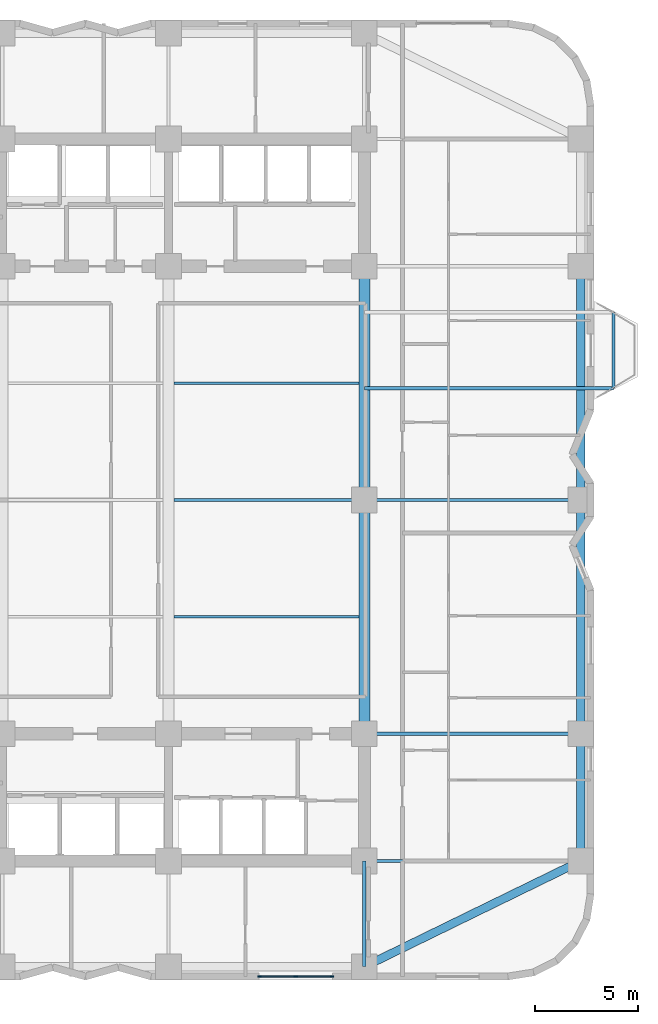
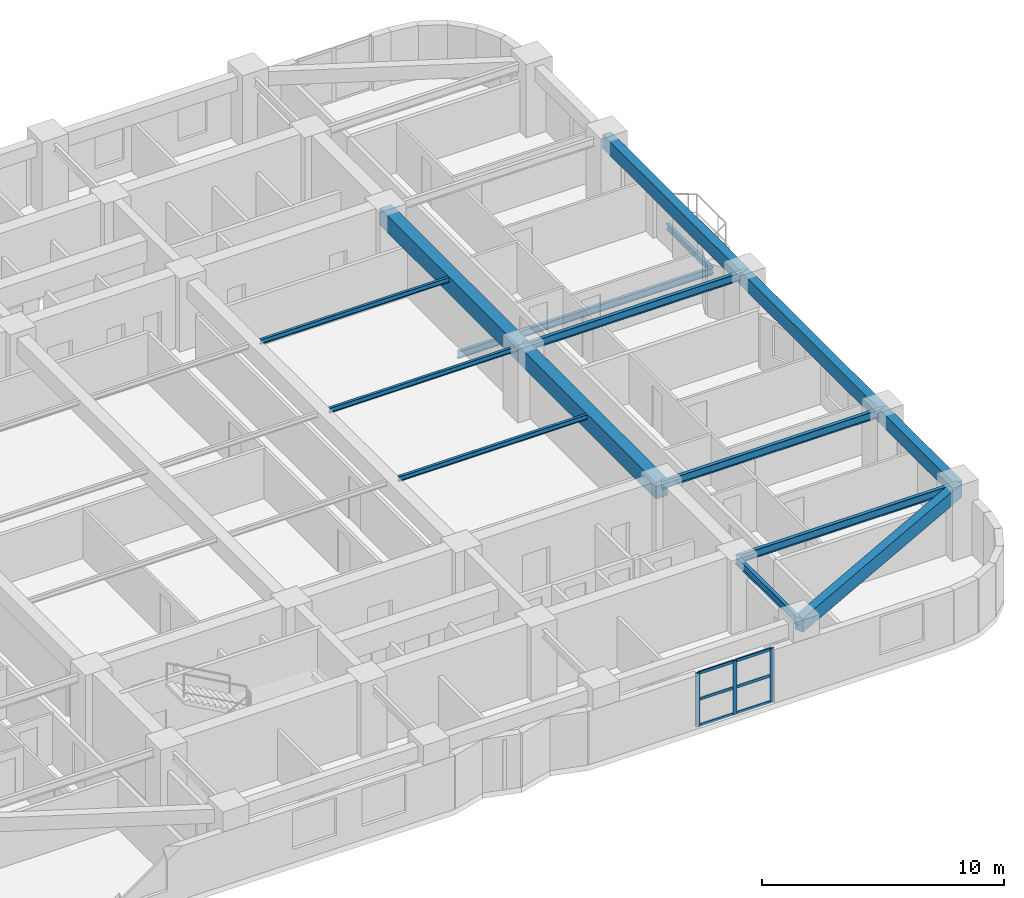
# One storey, part 2 of 13: 15 beams, 9 members, 1 element without a shape of its own.
"""IFC4 building model written with IfcOpenShell, lengths in metres."""

from ifc_helpers import new_model, si_unit, direction, frame, origin, origin_2d, place, context, subcontext, project, spatial, rectangle, i_section, extrude, material, material_profile, profile_set, type_object, element, aggregate, save


model = new_model("IFC4")

# Units and contexts
model_context = context("Model", 3, precision=1e-05, world=origin(), true_north=direction((0.0, 1.0)))
body_context = subcontext(model_context, "Body", "Model", "MODEL_VIEW")
ifc_project = project(units=[si_unit("LENGTHUNIT", "METRE"), si_unit("AREAUNIT", "SQUARE_METRE"), si_unit("VOLUMEUNIT", "CUBIC_METRE"), si_unit("PLANEANGLEUNIT", "RADIAN"), si_unit("MASSUNIT", "GRAM", prefix="KILO")], contexts=[model_context])

# Site, building, storey
site_placement = place(None, origin())
site = spatial("IfcSite", under=ifc_project, at=site_placement, CompositionType="ELEMENT")
building_placement = place(site_placement, origin())
building = spatial("IfcBuilding", under=site, at=building_placement, Name="Svetorya Sky Lyceum", CompositionType="ELEMENT")
storey_placement = place(building_placement, frame((0.0, 0.0, 39.89990234375)))
storey = spatial("IfcBuildingStorey", under=building, at=storey_placement, Name="L09", CompositionType="ELEMENT", Elevation=39.89990234375)

# Beams
ifc_material_1 = material(Name="Concrete C50/60", Category="concrete")
ifc_material_profile_1 = material_profile(ifc_material_1, rectangle(XDim=0.550048828125, YDim=0.85009765625, at=origin_2d()), Name="RC BEAM 550x850")
ifc_profile_set_1 = profile_set([ifc_material_profile_1], Name="Concrete C50/60")
beam_type_1 = type_object("IfcBeamType", Name="BM-RC-850", PredefinedType="BEAM", material=ifc_profile_set_1)
beam_1_placement = place(storey_placement, frame((52.800048828125, 16.800048828125, 2.9951171875), z_axis=(0.0, 1.0, 0.0), x_axis=(-1.0, 0.0, 0.0)))
element("IfcBeam", 1, at=beam_1_placement, inside=storey, type_object=beam_type_1, Name="L09 Central Bay Primary Girder CG-4A", PredefinedType="BEAM", context=body_context, shape_type="SweptSolid", body=[
    extrude(rectangle(XDim=0.550048828125, YDim=0.85009765625, at=origin_2d()), origin(), (0.0, 0.0, 1.0), 11.39990234375),
])
beam_2_placement = place(storey_placement, frame((52.800048828125, 28.199951171875, 2.9951171875), z_axis=(0.0, 1.0, 0.0), x_axis=(-1.0, 0.0, 0.0)))
element("IfcBeam", 2, at=beam_2_placement, inside=storey, type_object=beam_type_1, Name="L09 Central Bay Primary Girder CG-4B", PredefinedType="BEAM", context=body_context, shape_type="SweptSolid", body=[
    extrude(rectangle(XDim=0.550048828125, YDim=0.85009765625, at=origin_2d()), origin(), (0.0, 0.0, 1.0), 11.400146484375),
])
ifc_material_profile_2 = material_profile(ifc_material_1, rectangle(XDim=0.39990234375, YDim=0.699951171875, at=origin_2d()), Name="RC SPANDREL 400x700")
ifc_profile_set_2 = profile_set([ifc_material_profile_2], Name="Concrete C50/60")
beam_type_2 = type_object("IfcBeamType", Name="BM-SPN-700", PredefinedType="SPANDREL", material=ifc_profile_set_2)
beam_3_placement = place(storey_placement, frame((52.800048828125, 5.449951171875, 3.070068359375), z_axis=(0.898641495694, 0.438683783854, 0.0), x_axis=(-0.438683783854, 0.898641495694, 0.0)))
element("IfcBeam", 3, at=beam_3_placement, inside=storey, type_object=beam_type_2, Name="L09 Corner Spandrel 2", PredefinedType="SPANDREL", context=body_context, shape_type="SweptSolid", body=[
    extrude(rectangle(XDim=0.39990234375, YDim=0.699951171875, at=origin_2d()), origin(), (0.0, 0.0, 1.0), 11.739990234375),
])
beam_4_placement = place(storey_placement, frame((63.35009765625, 10.60009765625, 3.070068359375), z_axis=(0.0, 1.0, 0.0), x_axis=(-1.0, 0.0, 0.0)))
element("IfcBeam", 4, at=beam_4_placement, inside=storey, type_object=beam_type_2, Name="L09 East Spandrel 1", PredefinedType="SPANDREL", context=body_context, shape_type="SweptSolid", body=[
    extrude(rectangle(XDim=0.39990234375, YDim=0.699951171875, at=origin_2d()), origin(), (0.0, 0.0, 1.0), 6.199951171875),
])
beam_5_placement = place(storey_placement, frame((63.35009765625, 16.800048828125, 3.070068359375), z_axis=(0.0, 1.0, 0.0), x_axis=(-1.0, 0.0, 0.0)))
element("IfcBeam", 5, at=beam_5_placement, inside=storey, type_object=beam_type_2, Name="L09 East Spandrel 2", PredefinedType="SPANDREL", context=body_context, shape_type="SweptSolid", body=[
    extrude(rectangle(XDim=0.39990234375, YDim=0.699951171875, at=origin_2d()), origin(), (0.0, 0.0, 1.0), 11.39990234375),
])
beam_6_placement = place(storey_placement, frame((63.35009765625, 28.199951171875, 3.070068359375), z_axis=(0.0, 1.0, 0.0), x_axis=(-1.0, 0.0, 0.0)))
element("IfcBeam", 6, at=beam_6_placement, inside=storey, type_object=beam_type_2, Name="L09 East Spandrel 3", PredefinedType="SPANDREL", context=body_context, shape_type="SweptSolid", body=[
    extrude(rectangle(XDim=0.39990234375, YDim=0.699951171875, at=origin_2d()), origin(), (0.0, 0.0, 1.0), 11.400146484375),
])
ifc_material_2 = material(Name="Steel S355", Category="steel")
ifc_material_profile_3 = material_profile(ifc_material_2, i_section(OverallWidth=0.1240234375, OverallDepth=0.248046875, WebThickness=0.006103515625, FlangeThickness=0.009521484375, at=origin_2d()), Name="GOST 25B2")
ifc_profile_set_3 = profile_set([ifc_material_profile_3], Name="Steel S355")
beam_type_3 = type_object("IfcBeamType", Name="BM-STL-25B2", PredefinedType="JOIST", material=ifc_profile_set_3)
for number, where, z_axis, x_axis, name in (
    (7, (43.52490234375, 22.5, 3.296142578125), (1.0, 0.0, 0.0), (0.0, 1.0, 0.0), "L09 Central Floor Joist CJ-1.3"),
    (8, (43.52490234375, 28.199951171875, 3.296142578125), (1.0, 0.0, 0.0), (0.0, 1.0, 0.0), "L09 Central Floor Joist CJ-2.3"),
    (9, (43.52490234375, 33.89990234375, 3.296142578125), (1.0, 0.0, 0.0), (0.0, 1.0, 0.0), "L09 Central Floor Joist CJ-3.3"),
):
    element("IfcBeam", number, at=place(storey_placement, frame(where, z_axis=z_axis, x_axis=x_axis)), inside=storey, type_object=beam_type_3, Name=name, PredefinedType="JOIST", context=body_context, shape_type="SweptSolid", body=[
        extrude(i_section(OverallWidth=0.1240234375, OverallDepth=0.248046875, WebThickness=0.006103515625, FlangeThickness=0.009521484375, at=origin_2d()), origin(), (0.0, 0.0, 1.0), 9.0),
    ])
ifc_material_profile_4 = material_profile(ifc_material_2, i_section(OverallWidth=0.14990234375, OverallDepth=0.299072265625, WebThickness=0.006591796875, FlangeThickness=0.010498046875, at=origin_2d()), Name="GOST 30B2")
ifc_profile_set_4 = profile_set([ifc_material_profile_4], Name="Steel S355")
beam_type_4 = type_object("IfcBeamType", Name="BM-STL-30B2", PredefinedType="JOIST", material=ifc_profile_set_4)
beam_7_placement = place(storey_placement, frame((64.949951171875, 33.64990234375, -0.454345703125), z_axis=(0.0, 1.0, 0.0), x_axis=(-1.0, 0.0, 0.0)))
element("IfcBeam", 10, at=beam_7_placement, inside=storey, type_object=beam_type_4, Name="L09 Balcony Edge Tie BAL-E1", PredefinedType="JOIST", context=body_context, shape_type="SweptSolid", body=[
    extrude(i_section(OverallWidth=0.14990234375, OverallDepth=0.299072265625, WebThickness=0.006591796875, FlangeThickness=0.010498046875, at=origin_2d()), origin(), (0.0, 0.0, 1.0), 3.7001953125),
])
ifc_material_profile_5 = material_profile(ifc_material_2, i_section(OverallWidth=0.155029296875, OverallDepth=0.34912109375, WebThickness=0.007080078125, FlangeThickness=0.011474609375, at=origin_2d()), Name="GOST 35B2")
ifc_profile_set_5 = profile_set([ifc_material_profile_5], Name="Steel S355")
beam_type_5 = type_object("IfcBeamType", Name="BM-STL-35B2", PredefinedType="JOIST", material=ifc_profile_set_5)
beam_8_placement = place(storey_placement, frame((52.800048828125, 33.64990234375, -0.454345703125), z_axis=(1.0, 0.0, 0.0), x_axis=(0.0, 1.0, 0.0)))
element("IfcBeam", 11, at=beam_8_placement, inside=storey, type_object=beam_type_5, Name="L09 Balcony Cantilever Beam BAL-E1-1", PredefinedType="JOIST", context=body_context, shape_type="SweptSolid", body=[
    extrude(i_section(OverallWidth=0.155029296875, OverallDepth=0.34912109375, WebThickness=0.007080078125, FlangeThickness=0.011474609375, at=origin_2d()), origin(), (0.0, 0.0, 1.0), 12.14990234375),
])
ifc_material_profile_6 = material_profile(ifc_material_2, i_section(OverallWidth=0.1650390625, OverallDepth=0.39990234375, WebThickness=0.008056640625, FlangeThickness=0.012939453125, at=origin_2d()), Name="GOST 40B2")
ifc_profile_set_6 = profile_set([ifc_material_profile_6], Name="Steel S355")
beam_type_6 = type_object("IfcBeamType", Name="BM-STL-40B2", PredefinedType="JOIST", material=ifc_profile_set_6)
for number, where, z_axis, x_axis, name in (
    (12, (52.800048828125, 10.60009765625, 3.22021484375), (1.0, 0.0, 0.0), (0.0, 1.0, 0.0), "L09 East Wing Floor Joist E1"),
    (13, (52.800048828125, 16.800048828125, 3.22021484375), (1.0, 0.0, 0.0), (0.0, 1.0, 0.0), "L09 East Wing Floor Joist E2"),
    (14, (52.800048828125, 28.199951171875, 3.22021484375), (1.0, 0.0, 0.0), (0.0, 1.0, 0.0), "L09 East Wing Floor Joist E3"),
):
    element("IfcBeam", number, at=place(storey_placement, frame(where, z_axis=z_axis, x_axis=x_axis)), inside=storey, type_object=beam_type_6, Name=name, PredefinedType="JOIST", context=body_context, shape_type="SweptSolid", body=[
        extrude(i_section(OverallWidth=0.1650390625, OverallDepth=0.39990234375, WebThickness=0.008056640625, FlangeThickness=0.012939453125, at=origin_2d()), origin(), (0.0, 0.0, 1.0), 10.550048828125),
    ])
beam_9_placement = place(storey_placement, frame((52.800048828125, 5.449951171875, 3.22021484375), z_axis=(0.0, 1.0, 0.0), x_axis=(-1.0, 0.0, 0.0)))
element("IfcBeam", 15, at=beam_9_placement, inside=storey, type_object=beam_type_6, Name="L09 South Bay Floor Girder S4", PredefinedType="JOIST", context=body_context, shape_type="SweptSolid", body=[
    extrude(i_section(OverallWidth=0.1650390625, OverallDepth=0.39990234375, WebThickness=0.008056640625, FlangeThickness=0.012939453125, at=origin_2d()), origin(), (0.0, 0.0, 1.0), 5.150146484375),
])

# Curtain wall, members
ifc_material_3 = material(Name="Thermally broken anodized aluminium and triple low-E glass", Category="aluminium")
curtain_wall_type = type_object("IfcCurtainWallType", Name="CW3-LOG-RES", PredefinedType="NOTDEFINED", material=ifc_material_3)
curtain_wall_placement = place(storey_placement, origin())
curtain_wall = element("IfcCurtainWall", 16, at=curtain_wall_placement, inside=storey, type_object=curtain_wall_type, Name="L09 Recessed Loggia Curtain Wall 11", PredefinedType="NOTDEFINED")
ifc_material_4 = material(Name="Thermally broken anodized aluminium EN AW-6060", Category="aluminium")
ifc_material_profile_7 = material_profile(ifc_material_4, rectangle(XDim=0.06494140625, YDim=0.179931640625, at=origin_2d()), Name="ALU MULLION 65x180")
ifc_profile_set_7 = profile_set([ifc_material_profile_7], Name="Thermally broken anodized aluminium EN AW-6060")
member_type_1 = type_object("IfcMemberType", Name="CWM-MUL-180", PredefinedType="MULLION", material=ifc_profile_set_7)
member_1_placement = place(storey_placement, frame((47.6826171875, 4.969970703125, 0.0), z_axis=(0.0, 0.0, 1.0), x_axis=(0.0, 1.0, 0.0)))
member_1 = element("IfcMember", 17, at=member_1_placement, type_object=member_type_1, Name="CW-3 mullion 1", PredefinedType="MULLION", context=body_context, shape_type="SweptSolid", body=[
    extrude(rectangle(XDim=0.06494140625, YDim=0.179931640625, at=origin_2d()), origin(), (0.0, 0.0, 1.0), 2.7001953125),
])
member_2_placement = place(storey_placement, frame((49.449951171875, 4.969970703125, 0.0), z_axis=(0.0, 0.0, 1.0), x_axis=(0.0, 1.0, 0.0)))
member_2 = element("IfcMember", 18, at=member_2_placement, type_object=member_type_1, Name="CW-3 mullion 2", PredefinedType="MULLION", context=body_context, shape_type="SweptSolid", body=[
    extrude(rectangle(XDim=0.06494140625, YDim=0.179931640625, at=origin_2d()), origin(), (0.0, 0.0, 1.0), 2.7001953125),
])
member_3_placement = place(storey_placement, frame((51.217529296875, 4.969970703125, 0.0), z_axis=(0.0, 0.0, 1.0), x_axis=(0.0, 1.0, 0.0)))
member_3 = element("IfcMember", 19, at=member_3_placement, type_object=member_type_1, Name="CW-3 mullion 3", PredefinedType="MULLION", context=body_context, shape_type="SweptSolid", body=[
    extrude(rectangle(XDim=0.06494140625, YDim=0.179931640625, at=origin_2d()), origin(), (0.0, 0.0, 1.0), 2.7001953125),
])
ifc_material_profile_8 = material_profile(ifc_material_4, rectangle(XDim=0.06494140625, YDim=0.139892578125, at=origin_2d()), Name="ALU TRANSOM 65x140")
ifc_profile_set_8 = profile_set([ifc_material_profile_8], Name="Thermally broken anodized aluminium EN AW-6060")
member_type_2 = type_object("IfcMemberType", Name="CWM-TRN-140", PredefinedType="USERDEFINED", material=ifc_profile_set_8)
member_4_placement = place(storey_placement, frame((47.71337890625, 4.969970703125, 0.03271484375), z_axis=(1.0, 0.0, 0.0), x_axis=(0.0, 1.0, 0.0)))
member_4 = element("IfcMember", 20, at=member_4_placement, type_object=member_type_2, Name="CW-3 transom 1.1", ObjectType="TRANSOM", PredefinedType="USERDEFINED", context=body_context, shape_type="SweptSolid", body=[
    extrude(rectangle(XDim=0.06494140625, YDim=0.139892578125, at=origin_2d()), origin(), (0.0, 0.0, 1.0), 1.70556640625),
])
member_5_placement = place(storey_placement, frame((47.71337890625, 4.969970703125, 1.35009765625), z_axis=(1.0, 0.0, 0.0), x_axis=(0.0, 1.0, 0.0)))
member_5 = element("IfcMember", 21, at=member_5_placement, type_object=member_type_2, Name="CW-3 transom 1.2", ObjectType="TRANSOM", PredefinedType="USERDEFINED", context=body_context, shape_type="SweptSolid", body=[
    extrude(rectangle(XDim=0.06494140625, YDim=0.139892578125, at=origin_2d()), origin(), (0.0, 0.0, 1.0), 1.70556640625),
])
member_6_placement = place(storey_placement, frame((47.71337890625, 4.969970703125, 2.66748046875), z_axis=(1.0, 0.0, 0.0), x_axis=(0.0, 1.0, 0.0)))
member_6 = element("IfcMember", 22, at=member_6_placement, type_object=member_type_2, Name="CW-3 transom 1.3", ObjectType="TRANSOM", PredefinedType="USERDEFINED", context=body_context, shape_type="SweptSolid", body=[
    extrude(rectangle(XDim=0.06494140625, YDim=0.139892578125, at=origin_2d()), origin(), (0.0, 0.0, 1.0), 1.70556640625),
])
member_7_placement = place(storey_placement, frame((49.48095703125, 4.969970703125, 0.03271484375), z_axis=(1.0, 0.0, 0.0), x_axis=(0.0, 1.0, 0.0)))
member_7 = element("IfcMember", 23, at=member_7_placement, type_object=member_type_2, Name="CW-3 transom 2.1", ObjectType="TRANSOM", PredefinedType="USERDEFINED", context=body_context, shape_type="SweptSolid", body=[
    extrude(rectangle(XDim=0.06494140625, YDim=0.139892578125, at=origin_2d()), origin(), (0.0, 0.0, 1.0), 1.70556640625),
])
member_8_placement = place(storey_placement, frame((49.48095703125, 4.969970703125, 1.35009765625), z_axis=(1.0, 0.0, 0.0), x_axis=(0.0, 1.0, 0.0)))
member_8 = element("IfcMember", 24, at=member_8_placement, type_object=member_type_2, Name="CW-3 transom 2.2", ObjectType="TRANSOM", PredefinedType="USERDEFINED", context=body_context, shape_type="SweptSolid", body=[
    extrude(rectangle(XDim=0.06494140625, YDim=0.139892578125, at=origin_2d()), origin(), (0.0, 0.0, 1.0), 1.70556640625),
])
member_9_placement = place(storey_placement, frame((49.48095703125, 4.969970703125, 2.66748046875), z_axis=(1.0, 0.0, 0.0), x_axis=(0.0, 1.0, 0.0)))
member_9 = element("IfcMember", 25, at=member_9_placement, type_object=member_type_2, Name="CW-3 transom 2.3", ObjectType="TRANSOM", PredefinedType="USERDEFINED", context=body_context, shape_type="SweptSolid", body=[
    extrude(rectangle(XDim=0.06494140625, YDim=0.139892578125, at=origin_2d()), origin(), (0.0, 0.0, 1.0), 1.70556640625),
])
aggregate(curtain_wall, [member_1, member_2, member_3, member_4, member_5, member_6, member_7, member_8, member_9])

save(model, "model.ifc")
